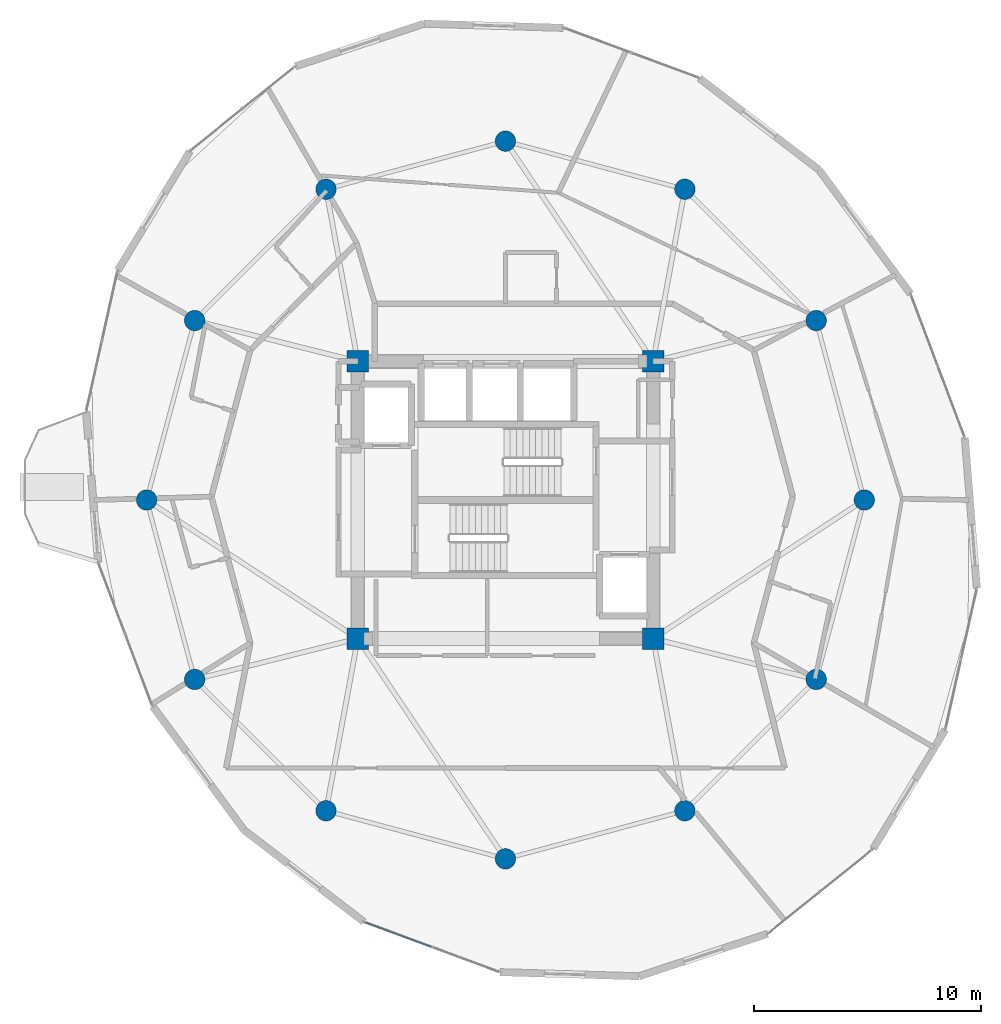
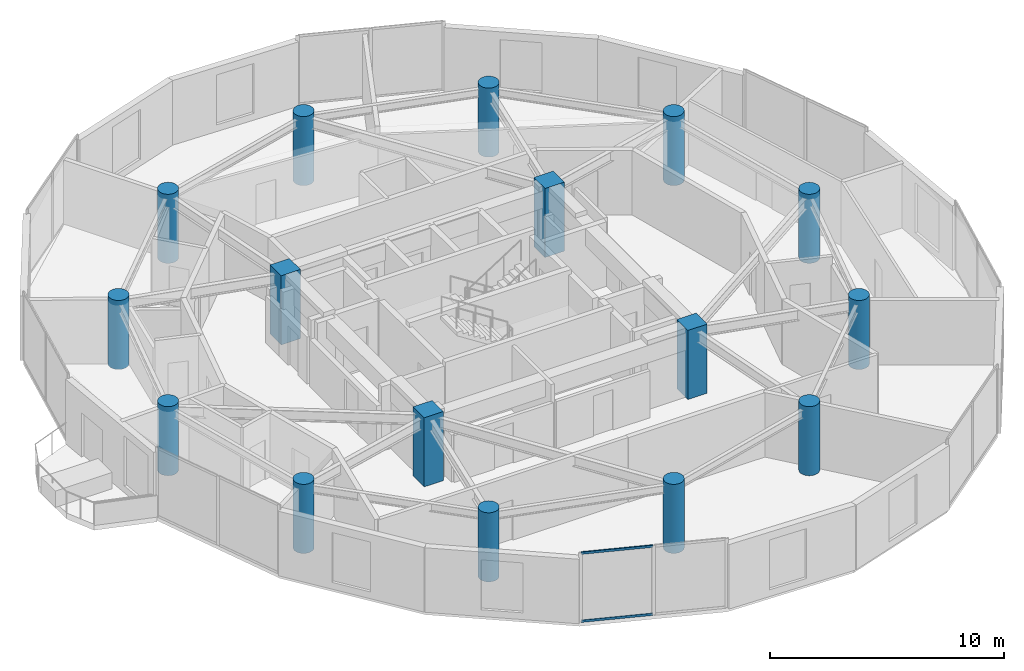
# One storey, part 1 of 20: 16 columns, 2 members, 1 element without a shape of its own.
"""IFC4 building model written with IfcOpenShell, lengths in metres."""

import ifcopenshell
import ifcopenshell.guid

model = None  # the IFC model being written
_history = None  # IfcOwnerHistory: only IFC2X3 demands one
_inside = {}  # id of a spatial element -> (the spatial element, [elements in it])
_under = {}  # id of a project, library or spatial element -> (it, [spatial elements below it])
_declared = {}  # id of a project -> (the project, [libraries it declares])
_typed = {}  # id of a type object -> (the type object, [elements of that type])
_made_of = {}  # id of a material, layer set ... -> (it, [elements and type objects made of it])


def new_model(schema):
    """Start an empty IFC model of exactly this schema.

    Asked for "IFC4X3", IfcOpenShell would pick the latest addendum, in which some entities
    have other attributes; the version numbers below select the first issue.
    IFC2X3 requires an IfcOwnerHistory on every rooted entity: one is made here for all.
    """
    global model, _history
    if schema == "IFC4X3":
        model = ifcopenshell.file(schema_version=(4, 3, 0, 0))
    else:
        model = ifcopenshell.file(schema=schema)
    _inside.clear()
    _under.clear()
    _declared.clear()
    _typed.clear()
    _made_of.clear()
    _history = None
    if model.schema == "IFC2X3":
        org = make("IfcOrganization", Name="unknown")
        user = make(
            "IfcPersonAndOrganization",
            ThePerson=make("IfcPerson", FamilyName="unknown"),
            TheOrganization=org,
        )
        app = make(
            "IfcApplication",
            ApplicationDeveloper=org,
            Version="unknown",
            ApplicationFullName="unknown",
            ApplicationIdentifier="unknown",
        )
        _history = make(
            "IfcOwnerHistory",
            OwningUser=user,
            OwningApplication=app,
            ChangeAction="ADDED",
            CreationDate=0,
        )
    return model


def make(cls, **values):
    """One entity of the class cls with the attributes given. An attribute that is None is left unset."""
    return model.create_entity(
        cls, **{name: value for name, value in values.items() if value is not None}
    )


def rooted(cls, **values):
    """An entity with a GlobalId (a new one), such as an element, a storey or a relation."""
    return make(cls, GlobalId=ifcopenshell.guid.new(), OwnerHistory=_history, **values)


def si_unit(unit_type, name, prefix=None):
    """IfcSIUnit, for example si_unit("LENGTHUNIT", "METRE", prefix="MILLI")."""
    return make("IfcSIUnit", UnitType=unit_type, Prefix=prefix, Name=name)


def assignment(units):
    """IfcUnitAssignment: the units of a project."""
    return None if units is None else make("IfcUnitAssignment", Units=units)


def point(xyz):
    """IfcCartesianPoint."""
    return None if xyz is None else make("IfcCartesianPoint", Coordinates=xyz)


def direction(xyz):
    """IfcDirection."""
    return None if xyz is None else make("IfcDirection", DirectionRatios=xyz)


def frame(location, z_axis=None, x_axis=None):
    """IfcAxis2Placement3D, a coordinate frame: its origin and axes. An axis left out is left unset."""
    return make(
        "IfcAxis2Placement3D",
        Location=point(location),
        Axis=direction(z_axis),
        RefDirection=direction(x_axis),
    )


def frame_2d(location, x_axis=None):
    """IfcAxis2Placement2D, a coordinate frame in the plane: its origin and x axis."""
    return make(
        "IfcAxis2Placement2D", Location=point(location), RefDirection=direction(x_axis)
    )


def origin():
    """The frame at (0, 0, 0) with its axes left unset."""
    return frame((0.0, 0.0, 0.0))


def origin_2d():
    """The frame at (0, 0) in the plane with its x axis left unset."""
    return frame_2d((0.0, 0.0))


def place(relative_to, where):
    """IfcLocalPlacement: puts the frame where relative to a parent placement (None: the world)."""
    return make(
        "IfcLocalPlacement", PlacementRelTo=relative_to, RelativePlacement=where
    )


def context(
    kind, dimensions, precision=None, world=None, true_north=None, identifier=None
):
    """IfcGeometricRepresentationContext, for example the 3D "Model" context."""
    return make(
        "IfcGeometricRepresentationContext",
        ContextIdentifier=identifier,
        ContextType=kind,
        CoordinateSpaceDimension=dimensions,
        Precision=precision,
        WorldCoordinateSystem=world,
        TrueNorth=true_north,
    )


def subcontext(parent, identifier, kind, view, scale=None):
    """IfcGeometricRepresentationSubContext, for example "Body" below "Model"."""
    return make(
        "IfcGeometricRepresentationSubContext",
        ContextIdentifier=identifier,
        ContextType=kind,
        ParentContext=parent,
        TargetScale=scale,
        TargetView=view,
    )


def project(units=None, contexts=None):
    """IfcProject with its units and contexts."""
    return rooted(
        "IfcProject",
        Name="project",
        RepresentationContexts=contexts,
        UnitsInContext=assignment(units),
    )


def spatial(cls, under=None, at=None, **own):
    """A site, building, storey or space (cls), placed at a placement, below another one or the project."""
    s = rooted(cls, ObjectPlacement=at, **own)
    if under is not None:
        _under.setdefault(under.id(), (under, []))[1].append(s)
    return s


def profile(cls, at=None, kind="AREA", **sizes):
    """A parametric profile (cls). Its sizes go by their IFC names, for example OverallWidth=200.0."""
    return make(cls, ProfileType=kind, Position=at, **sizes)


def rectangle(**sizes):
    """IfcRectangleProfileDef."""
    return profile("IfcRectangleProfileDef", **sizes)


def hollow_rectangle(**sizes):
    """IfcRectangleHollowProfileDef."""
    return profile("IfcRectangleHollowProfileDef", **sizes)


def circle(**sizes):
    """IfcCircleProfileDef."""
    return profile("IfcCircleProfileDef", **sizes)


def extrude(swept, where, along, depth):
    """IfcExtrudedAreaSolid: the profile swept, set in the frame where, extruded along a direction by depth."""
    return make(
        "IfcExtrudedAreaSolid",
        SweptArea=swept,
        Position=where,
        ExtrudedDirection=direction(along),
        Depth=depth,
    )


def shape(context_of_items, identifier, shape_type, items):
    """IfcShapeRepresentation: the items that make up one representation, for example the "Body"."""
    return make(
        "IfcShapeRepresentation",
        ContextOfItems=context_of_items,
        RepresentationIdentifier=identifier,
        RepresentationType=shape_type,
        Items=items,
    )


def source(mapping_origin, context_of_items, identifier, shape_type, items):
    """IfcRepresentationMap: a shape defined once, which mapped items show again and again."""
    return make(
        "IfcRepresentationMap",
        MappingOrigin=mapping_origin,
        MappedRepresentation=shape(context_of_items, identifier, shape_type, items),
    )


def transform(
    local_origin,
    x_axis=None,
    y_axis=None,
    z_axis=None,
    scale=None,
    scale2=None,
    scale3=None,
    uniform=True,
):
    """IfcCartesianTransformationOperator3D, or its non-uniform kind. x_axis, y_axis, z_axis: its Axis1, 2, 3."""
    if uniform:
        return make(
            "IfcCartesianTransformationOperator3D",
            Axis1=direction(x_axis),
            Axis2=direction(y_axis),
            LocalOrigin=point(local_origin),
            Scale=scale,
            Axis3=direction(z_axis),
        )
    return make(
        "IfcCartesianTransformationOperator3DnonUniform",
        Axis1=direction(x_axis),
        Axis2=direction(y_axis),
        LocalOrigin=point(local_origin),
        Scale=scale,
        Axis3=direction(z_axis),
        Scale2=scale2,
        Scale3=scale3,
    )


def mapped(mapping_source, mapping_target):
    """IfcMappedItem: shows the shape of a source again, moved by a transform."""
    return make(
        "IfcMappedItem", MappingSource=mapping_source, MappingTarget=mapping_target
    )


def material(Name=None, Category=None):
    """IfcMaterial."""
    return make("IfcMaterial", Name=Name, Category=Category)


def layer(
    of_material, thickness, ventilated=None, Name=None, Category=None, Priority=None
):
    """IfcMaterialLayer: one layer of a wall or slab, of a material (None: an air gap)."""
    return make(
        "IfcMaterialLayer",
        Material=of_material,
        LayerThickness=thickness,
        IsVentilated=ventilated,
        Name=Name,
        Category=Category,
        Priority=Priority,
    )


def layer_set(layers, Name=None):
    """IfcMaterialLayerSet."""
    return make("IfcMaterialLayerSet", MaterialLayers=layers, LayerSetName=Name)


def material_profile(
    of_material, cross_section, Name=None, Category=None, Priority=None
):
    """IfcMaterialProfile: a cross section and its material."""
    return make(
        "IfcMaterialProfile",
        Name=Name,
        Material=of_material,
        Profile=cross_section,
        Priority=Priority,
        Category=Category,
    )


def profile_set(profiles, Name=None, composite=None):
    """IfcMaterialProfileSet."""
    return make(
        "IfcMaterialProfileSet",
        Name=Name,
        MaterialProfiles=profiles,
        CompositeProfile=composite,
    )


def made_of(thing, what):
    """Note that an element or type object is made of a material, layer set ...; save() writes the relation."""
    if what is not None:
        _made_of.setdefault(what.id(), (what, []))[1].append(thing)
    return thing


def type_object(cls, material=None, **own):
    """A type object (cls), such as IfcWallType, which elements share."""
    return made_of(rooted(cls, **own), material)


def element(
    cls,
    number,
    at=None,
    inside=None,
    cuts=None,
    type_object=None,
    material=None,
    context=None,
    identifier="Body",
    shape_type=None,
    held_by="IfcProductDefinitionShape",
    body=None,
    shapes=None,
    **own,
):
    """One element of the class cls, such as IfcWall. Its Tag is "e" and its number.

    at: its placement. inside: the storey or other place that contains it. cuts: it is an
    opening in that element (IfcRelVoidsElement). A single representation is given by context,
    identifier, shape_type and body (its items); several are given by shapes. held_by: the class
    of the entity that holds the representations. save() writes the other relations.
    """
    e = rooted(cls, Tag="e%d" % number, ObjectPlacement=at, **own)
    if body is not None:
        shapes = [shape(context, identifier, shape_type, body)]
    if shapes is not None:
        e.Representation = make(held_by, Representations=shapes)
    if inside is not None:
        _inside.setdefault(inside.id(), (inside, []))[1].append(e)
    if cuts is not None:
        rooted(
            "IfcRelVoidsElement", RelatingBuildingElement=cuts, RelatedOpeningElement=e
        )
    if type_object is not None:
        _typed.setdefault(type_object.id(), (type_object, []))[1].append(e)
    return made_of(e, material)


def aggregate(whole, parts):
    """IfcRelAggregates: a whole, such as a stair, and the parts it consists of."""
    return rooted("IfcRelAggregates", RelatingObject=whole, RelatedObjects=parts)


def save(model, path):
    """Write the relations noted so far, then the file.

    IfcRelAggregates (storeys below a building ...), IfcRelContainedInSpatialStructure (elements
    in a storey), IfcRelDefinesByType, IfcRelAssociatesMaterial and IfcRelDeclares: one each for
    every whole, place, type object, material and project.
    """
    for whole, parts in _under.values():
        aggregate(whole, parts)
    for where, things in _inside.values():
        rooted(
            "IfcRelContainedInSpatialStructure",
            RelatedElements=things,
            RelatingStructure=where,
        )
    for kind, things in _typed.values():
        rooted("IfcRelDefinesByType", RelatedObjects=things, RelatingType=kind)
    for what, things in _made_of.values():
        rooted("IfcRelAssociatesMaterial", RelatedObjects=things, RelatingMaterial=what)
    for by, libraries in _declared.values():
        rooted("IfcRelDeclares", RelatingContext=by, RelatedDefinitions=libraries)
    model.write(path)


model = new_model("IFC4")

# Units and contexts
model_context = context("Model", 3, precision=1e-05, world=origin(), true_north=direction((0.0, 1.0)))
body_context = subcontext(model_context, "Body", "Model", "MODEL_VIEW")
ifc_project = project(units=[si_unit("LENGTHUNIT", "METRE"), si_unit("AREAUNIT", "SQUARE_METRE"), si_unit("VOLUMEUNIT", "CUBIC_METRE"), si_unit("PLANEANGLEUNIT", "RADIAN"), si_unit("MASSUNIT", "GRAM", prefix="KILO")], contexts=[model_context])

# Site, building, storey
site_placement = place(None, origin())
site = spatial("IfcSite", under=ifc_project, at=site_placement, CompositionType="ELEMENT")
building_placement = place(site_placement, origin())
building = spatial("IfcBuilding", under=site, at=building_placement, Name="Solvirekh Grand Hotel", CompositionType="ELEMENT")
storey_placement = place(building_placement, frame((0.0, 0.0, 194.800048828125)))
storey = spatial("IfcBuildingStorey", under=building, at=storey_placement, Name="L50", CompositionType="ELEMENT", Elevation=194.800048828125)

# Columns
ifc_material_1 = material(Name="Concrete C50/60", Category="concrete")
ifc_material_profile_1 = material_profile(ifc_material_1, rectangle(XDim=0.949951171875, YDim=0.949951171875, at=origin_2d()), Name="RC 950X950")
ifc_profile_set_1 = profile_set([ifc_material_profile_1], Name="Concrete C50/60")
column_type_1 = type_object("IfcColumnType", Name="Col_Core_950", PredefinedType="COLUMN", material=ifc_profile_set_1)
for number, where, z_axis, x_axis, name in (
    (1, (-6.5, -6.10009765625, 0.0), (0.0, 0.0, 1.0), (1.0, 0.0, 0.0), "L50 core corner column CC1"),
    (2, (6.5, -6.10009765625, 0.0), (0.0, 0.0, 1.0), (1.0, 0.0, 0.0), "L50 core corner column CC2"),
    (3, (6.5, 6.10009765625, 0.0), (0.0, 0.0, 1.0), (1.0, 0.0, 0.0), "L50 core corner column CC3"),
    (4, (-6.5, 6.10009765625, 0.0), (0.0, 0.0, 1.0), (1.0, 0.0, 0.0), "L50 core corner column CC4"),
):
    element("IfcColumn", number, at=place(storey_placement, frame(where, z_axis=z_axis, x_axis=x_axis)), inside=storey, type_object=column_type_1, Name=name, PredefinedType="COLUMN", context=body_context, shape_type="SweptSolid", body=[
        extrude(rectangle(XDim=0.949951171875, YDim=0.949951171875, at=origin_2d()), origin(), (0.0, 0.0, 1.0), 3.599853515625),
    ])
ifc_material_profile_2 = material_profile(ifc_material_1, circle(Radius=0.449951171875, at=origin_2d()), Name="RC CIRC D900")
ifc_profile_set_2 = profile_set([ifc_material_profile_2], Name="Concrete C50/60")
column_type_2 = type_object("IfcColumnType", Name="Col_Z3_D900", PredefinedType="COLUMN", material=ifc_profile_set_2)
for number, where, z_axis, x_axis, name in (
    (5, (15.800048828125, 0.0, 0.0), (0.0, 0.0, 1.0), (1.0, 0.0, 0.0), "L50 perimeter column P01"),
    (6, (13.68310546875, 7.89990234375, 0.0), (0.0, 0.0, 1.0), (1.0, 0.0, 0.0), "L50 perimeter column P02"),
    (7, (7.89990234375, 13.68310546875, 0.0), (0.0, 0.0, 1.0), (1.0, 0.0, 0.0), "L50 perimeter column P03"),
    (8, (0.0, 15.800048828125, 0.0), (0.0, 0.0, 1.0), (1.0, 0.0, 0.0), "L50 perimeter column P04"),
    (9, (-7.89990234375, 13.68310546875, 0.0), (0.0, 0.0, 1.0), (1.0, 0.0, 0.0), "L50 perimeter column P05"),
    (10, (-13.68310546875, 7.89990234375, 0.0), (0.0, 0.0, 1.0), (1.0, 0.0, 0.0), "L50 perimeter column P06"),
    (11, (-15.800048828125, 0.0, 0.0), (0.0, 0.0, 1.0), (1.0, 0.0, 0.0), "L50 perimeter column P07"),
    (12, (-13.68310546875, -7.89990234375, 0.0), (0.0, 0.0, 1.0), (1.0, 0.0, 0.0), "L50 perimeter column P08"),
    (13, (-7.89990234375, -13.68310546875, 0.0), (0.0, 0.0, 1.0), (1.0, 0.0, 0.0), "L50 perimeter column P09"),
    (14, (0.0, -15.800048828125, 0.0), (0.0, 0.0, 1.0), (1.0, 0.0, 0.0), "L50 perimeter column P10"),
    (15, (7.89990234375, -13.68310546875, 0.0), (0.0, 0.0, 1.0), (1.0, 0.0, 0.0), "L50 perimeter column P11"),
    (16, (13.68310546875, -7.89990234375, 0.0), (0.0, 0.0, 1.0), (1.0, 0.0, 0.0), "L50 perimeter column P12"),
):
    element("IfcColumn", number, at=place(storey_placement, frame(where, z_axis=z_axis, x_axis=x_axis)), inside=storey, type_object=column_type_2, Name=name, PredefinedType="COLUMN", context=body_context, shape_type="SweptSolid", body=[
        extrude(circle(Radius=0.449951171875, at=origin_2d()), origin(), (0.0, 0.0, 1.0), 3.599853515625),
    ])

# Curtain wall, members
ifc_material_2 = material(Name="Anodized Bronze Aluminium 6063-T6", Category="aluminium")
ifc_layer = layer(ifc_material_2, 0.159912109375)
ifc_layer_set = layer_set([ifc_layer], Name="Anodized Bronze Aluminium 6063-T6")
curtain_wall_type = type_object("IfcCurtainWallType", Name="CW_Sys4_HighZoneFlushBronzeCW", PredefinedType="NOTDEFINED", material=ifc_layer_set)
curtain_wall_placement = place(storey_placement, origin())
curtain_wall = element("IfcCurtainWall", 17, at=curtain_wall_placement, inside=storey, type_object=curtain_wall_type, Name="L50 unitised bronze-glass curtain wall CW-L50-C18", PredefinedType="NOTDEFINED")
ifc_material_profile_3 = material_profile(ifc_material_2, hollow_rectangle(XDim=0.054931640625, YDim=0.1201171875, WallThickness=0.00390625, at=origin_2d()), Name="ALU RHS 120X55X4")
ifc_profile_set_3 = profile_set([ifc_material_profile_3], Name="Anodized Bronze Aluminium 6063-T6")
member_type = type_object("IfcMemberType", Name="CWTransom_Sys4", PredefinedType="USERDEFINED", material=ifc_profile_set_3)
shared_shape = source(origin(), body_context, "Body", "SweptSolid", [
    extrude(hollow_rectangle(XDim=0.054931640625, YDim=0.1201171875, WallThickness=0.00390625, at=origin_2d()), origin(), (0.0, 0.0, 1.0), 3.104248046875),
])
member_1_placement = place(storey_placement, frame((-6.1826171875, -18.597900390625, 0.02734375), z_axis=(0.937868241386, -0.346991587505, 0.0), x_axis=(0.346991587505, 0.937868241386, 0.0)))
member_1 = element("IfcMember", 18, at=member_1_placement, type_object=member_type, Name="U04 transom 1.1", ObjectType="TRANSOM", PredefinedType="USERDEFINED", context=body_context, shape_type="MappedRepresentation", body=[
    mapped(shared_shape, transform((0.0, 0.0, 0.0), x_axis=(1.0, 0.0, 0.0), y_axis=(0.0, 1.0, 0.0), z_axis=(0.0, 0.0, 1.0), scale=1.0)),
])
member_2_placement = place(storey_placement, frame((-6.1826171875, -18.597900390625, 3.572509765625), z_axis=(0.937868241386, -0.346991587505, 0.0), x_axis=(0.346991587505, 0.937868241386, 0.0)))
member_2 = element("IfcMember", 19, at=member_2_placement, type_object=member_type, Name="U04 transom 1.2", ObjectType="TRANSOM", PredefinedType="USERDEFINED", context=body_context, shape_type="MappedRepresentation", body=[
    mapped(shared_shape, transform((0.0, 0.0, 0.0), x_axis=(1.0, 0.0, 0.0), y_axis=(0.0, 1.0, 0.0), z_axis=(0.0, 0.0, 1.0), scale=1.0)),
])
aggregate(curtain_wall, [member_1, member_2])

save(model, "model.ifc")
